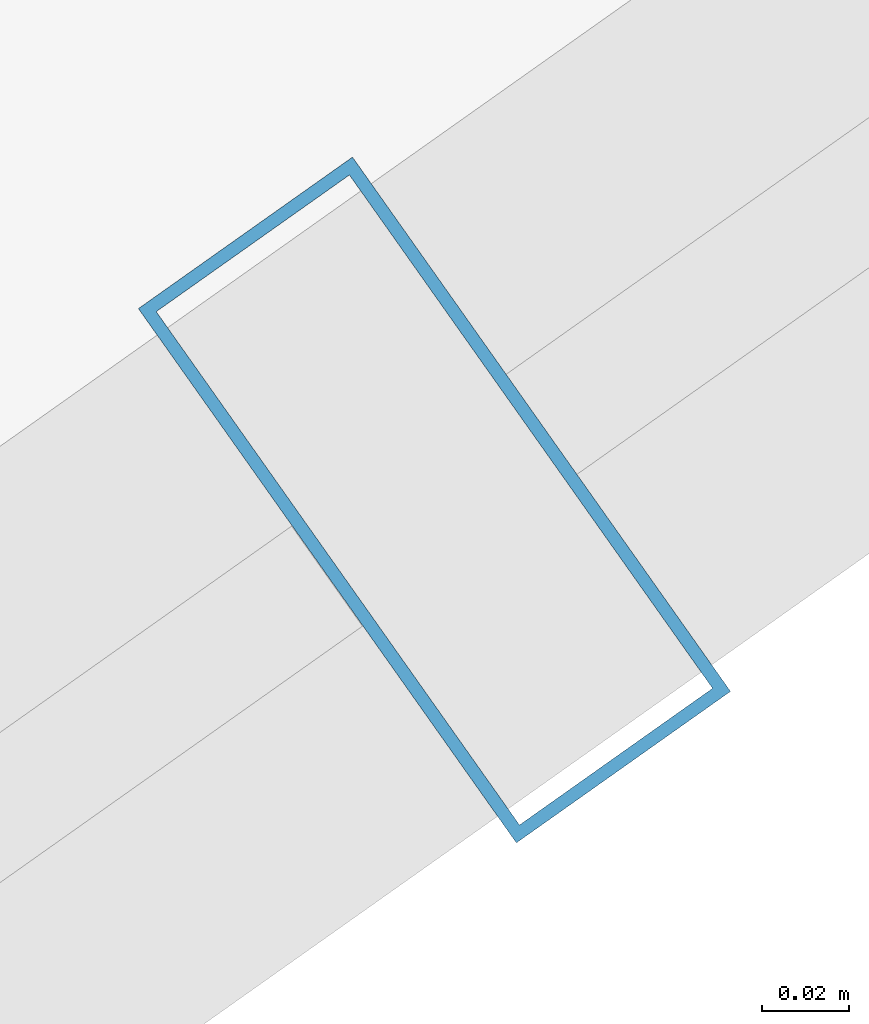
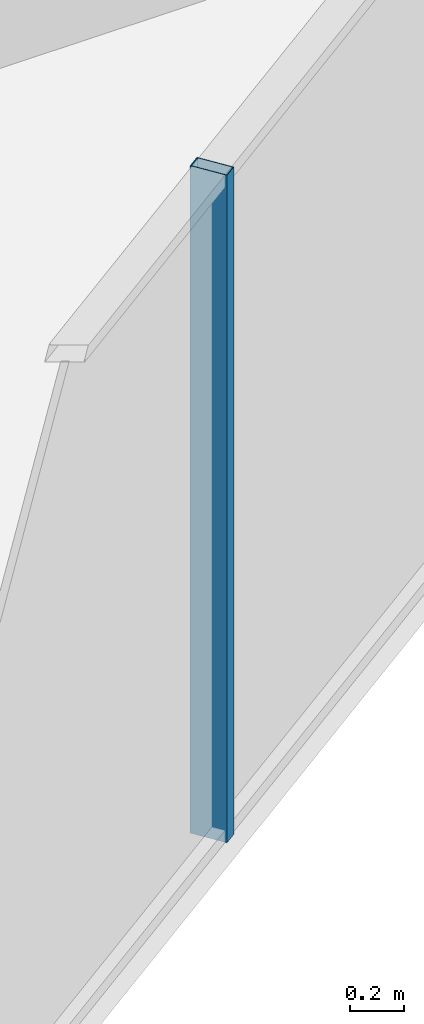
# One storey, part 8 of 32: 1 member, 1 element without a shape of its own.
"""IFC4 building model written with IfcOpenShell, lengths in metres."""

from ifc_helpers import new_model, si_unit, direction, frame, origin, origin_2d, place, context, subcontext, project, spatial, hollow_rectangle, extrude, source, transform, mapped, material, layer, layer_set, material_profile, profile_set, type_object, element, aggregate, save


model = new_model("IFC4")

# Units and contexts
model_context = context("Model", 3, precision=1e-05, world=origin(), true_north=direction((0.0, 1.0)))
body_context = subcontext(model_context, "Body", "Model", "MODEL_VIEW")
ifc_project = project(units=[si_unit("LENGTHUNIT", "METRE"), si_unit("AREAUNIT", "SQUARE_METRE"), si_unit("VOLUMEUNIT", "CUBIC_METRE"), si_unit("PLANEANGLEUNIT", "RADIAN"), si_unit("MASSUNIT", "GRAM", prefix="KILO")], contexts=[model_context])

# Site, building, storey
site_placement = place(None, origin())
site = spatial("IfcSite", under=ifc_project, at=site_placement, CompositionType="ELEMENT")
building_placement = place(site_placement, origin())
building = spatial("IfcBuilding", under=site, at=building_placement, Name="Veraguas Prism Commons", CompositionType="ELEMENT")
storey_placement = place(building_placement, frame((0.0, 0.0, 188.60009765625)))
storey = spatial("IfcBuildingStorey", under=building, at=storey_placement, Name="L53", CompositionType="ELEMENT", Elevation=188.60009765625)

# Curtain wall, member
ifc_material = material(Name="Anodised aluminium EN AW-6063 T6", Category="aluminium")
ifc_layer = layer(ifc_material, 0.14990234375, Name="Unitised Flush Curtain Wall Zone 3", Category="aluminium")
ifc_layer_set = layer_set([ifc_layer], Name="Anodised aluminium EN AW-6063 T6")
curtain_wall_type = type_object("IfcCurtainWallType", Name="Unitised Flush Curtain Wall Zone 3", PredefinedType="NOTDEFINED", material=ifc_layer_set)
curtain_wall_placement = place(storey_placement, origin())
curtain_wall = element("IfcCurtainWall", 1, at=curtain_wall_placement, inside=storey, type_object=curtain_wall_type, Name="Tower Facade Curtain Wall L53-F5", PredefinedType="NOTDEFINED")
ifc_material_profile = material_profile(ifc_material, hollow_rectangle(XDim=0.06005859375, YDim=0.14990234375, WallThickness=0.0029296875, at=origin_2d()), Name="AL60X150X3")
ifc_profile_set = profile_set([ifc_material_profile], Name="Anodised aluminium EN AW-6063 T6")
member_type = type_object("IfcMemberType", Name="Curtain Wall Mullion Upper AL 60x150x3", PredefinedType="MULLION", material=ifc_profile_set)
shared_shape = source(origin(), body_context, "Body", "SweptSolid", [
    extrude(hollow_rectangle(XDim=0.06005859375, YDim=0.14990234375, WallThickness=0.0029296875, at=origin_2d()), origin(), (0.0, 0.0, 1.0), 3.014892578125),
])
member_placement = place(storey_placement, frame((34.22900390625, 9.54248046875, 0.0), z_axis=(0.0, 0.0, 1.0), x_axis=(0.816341266821, 0.577569853857, 0.0)))
member = element("IfcMember", 2, at=member_placement, type_object=member_type, Name="CW-Z3 Mullion 3", PredefinedType="MULLION", context=body_context, shape_type="MappedRepresentation", body=[
    mapped(shared_shape, transform((0.0, 0.0, 0.0), scale=1.0)),
])
aggregate(curtain_wall, [member])

save(model, "model.ifc")
